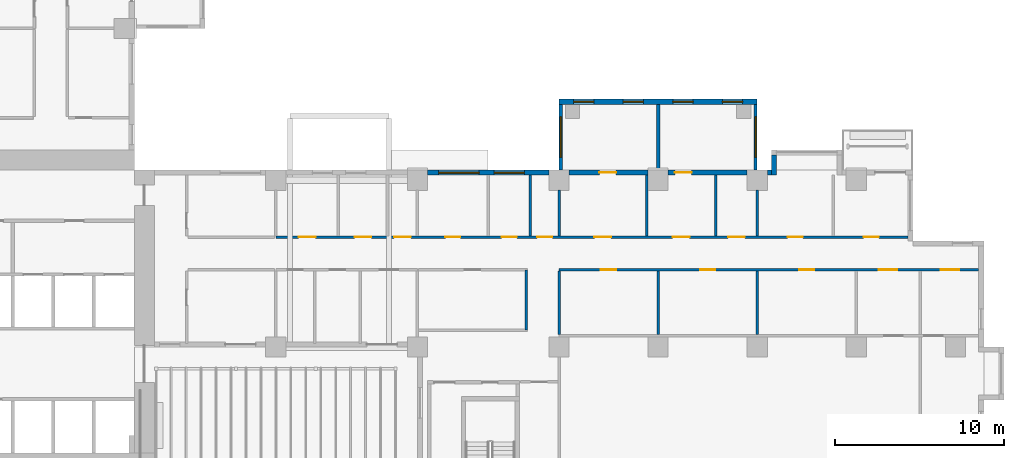
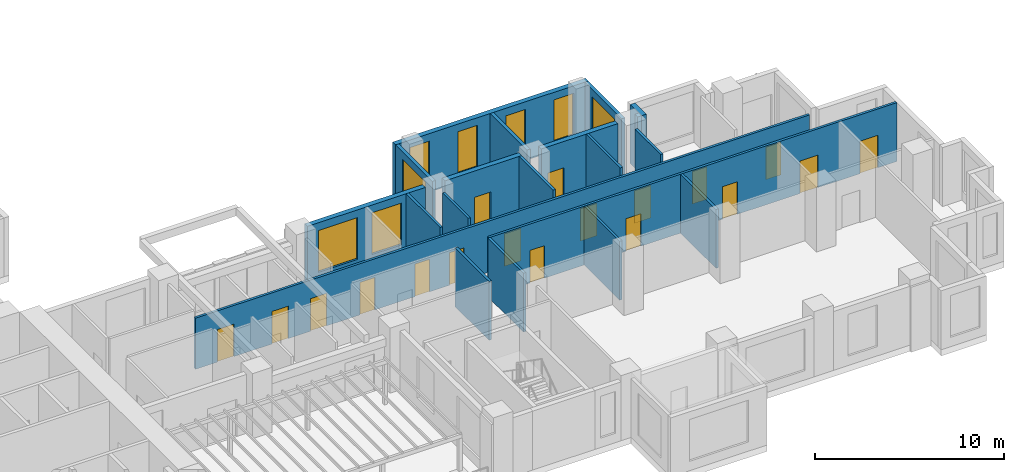
# One storey, part 7 of 17: 20 walls, 18 doors, 8 windows, 26 openings.
"""IFC4 building model written with IfcOpenShell, lengths in metres."""

from ifc_helpers import new_model, si_unit, direction, frame, frame_2d, origin, place, context, subcontext, project, spatial, rectangle, extrude, source, transform, mapped, material, layer, layer_set, type_object, element, fill, save


model = new_model("IFC4")

# Units and contexts
model_context = context("Model", 3, precision=1e-05, world=origin(), true_north=direction((0.0, 1.0)))
body_context = subcontext(model_context, "Body", "Model", "MODEL_VIEW")
ifc_project = project(units=[si_unit("LENGTHUNIT", "METRE"), si_unit("AREAUNIT", "SQUARE_METRE"), si_unit("VOLUMEUNIT", "CUBIC_METRE"), si_unit("PLANEANGLEUNIT", "RADIAN"), si_unit("MASSUNIT", "GRAM", prefix="KILO")], contexts=[model_context])

# Site, building, storey
site_placement = place(None, origin())
site = spatial("IfcSite", under=ifc_project, at=site_placement, CompositionType="ELEMENT")
building_placement = place(site_placement, origin())
building = spatial("IfcBuilding", under=site, at=building_placement, Name="Aurelian Terraces", CompositionType="ELEMENT")
storey_placement = place(building_placement, frame((0.0, 0.0, 48.9)))
storey = spatial("IfcBuildingStorey", under=building, at=storey_placement, Name="L09", CompositionType="ELEMENT", Elevation=48.9)

# Wall
ifc_material_1 = material(Name="Concrete fc' 40 MPa", Category="concrete")
ifc_layer_1 = layer(ifc_material_1, 0.2)
ifc_layer_set_1 = layer_set([ifc_layer_1], Name="BOX BEARING WALL 200")
wall_type_1 = type_object("IfcWallType", Name="BOX BEARING WALL 200", PredefinedType="SOLIDWALL", material=ifc_layer_set_1)
wall_1_placement = place(storey_placement, frame((52.08, 21.0, 0.0), z_axis=(0.0, 0.0, 1.0), x_axis=(0.0, 1.0, 0.0)))
element("IfcWall", 1, at=wall_1_placement, inside=storey, type_object=wall_type_1, Name="Box partition L09 K01", PredefinedType="SOLIDWALL", context=body_context, shape_type="SweptSolid", body=[
    extrude(rectangle(XDim=3.9, YDim=0.2, at=frame_2d((1.95, 0.0))), origin(), (0.0, 0.0, 1.0), 3.79),
])

# Wall, openings, windows
ifc_layer_2 = layer(ifc_material_1, 0.3)
ifc_layer_set_2 = layer_set([ifc_layer_2], Name="BOX BEARING WALL 300")
wall_type_2 = type_object("IfcWallType", Name="BOX BEARING WALL 300", PredefinedType="SOLIDWALL", material=ifc_layer_set_2)
wall_2_placement = place(storey_placement, frame((57.96, 25.05, 0.0), z_axis=(0.0, 0.0, 1.0), x_axis=(-1.0, 0.0, 0.0)))
wall_2 = element("IfcWall", 2, at=wall_2_placement, inside=storey, type_object=wall_type_2, Name="Box wall L09 K01", PredefinedType="SOLIDWALL", context=body_context, shape_type="SweptSolid", body=[
    extrude(rectangle(XDim=11.76, YDim=0.3, at=frame_2d((5.88, 0.0))), origin(), (0.0, 0.0, 1.0), 3.79),
])
shared_shape_1 = source(origin(), body_context, "Body", "SweptSolid", [
    extrude(rectangle(XDim=1.2, YDim=2.7, at=frame_2d((0.6, 1.35))), frame((0.0, 0.16, 0.0), z_axis=(0.0, -1.0, 0.0), x_axis=(1.0, 0.0, 0.0)), (0.0, 0.0, 1.0), 0.32),
])
opening_1_placement = place(wall_2_placement, frame((0.87, 0.0, 0.6)))
opening_1 = element("IfcOpeningElement", 3, at=opening_1_placement, cuts=wall_2, Name="Opening W1227", PredefinedType="OPENING", context=body_context, shape_type="MappedRepresentation", body=[
    mapped(shared_shape_1, transform((0.0, 0.0, 0.0), scale=1.0)),
])
opening_2_placement = place(wall_2_placement, frame((3.81, 0.0, 0.6)))
opening_2 = element("IfcOpeningElement", 4, at=opening_2_placement, cuts=wall_2, Name="Opening W1227", PredefinedType="OPENING", context=body_context, shape_type="MappedRepresentation", body=[
    mapped(shared_shape_1, transform((0.0, 0.0, 0.0), scale=1.0)),
])
opening_3_placement = place(wall_2_placement, frame((6.75, 0.0, 0.6)))
opening_3 = element("IfcOpeningElement", 5, at=opening_3_placement, cuts=wall_2, Name="Opening W1227", PredefinedType="OPENING", context=body_context, shape_type="MappedRepresentation", body=[
    mapped(shared_shape_1, transform((0.0, 0.0, 0.0), scale=1.0)),
])
opening_4_placement = place(wall_2_placement, frame((9.69, 0.0, 0.6)))
opening_4 = element("IfcOpeningElement", 6, at=opening_4_placement, cuts=wall_2, Name="Opening W1227", PredefinedType="OPENING", context=body_context, shape_type="MappedRepresentation", body=[
    mapped(shared_shape_1, transform((0.0, 0.0, 0.0), scale=1.0)),
])
ifc_material_2 = material(Name="Clear glazing", Category="glass")
window_type_1 = type_object("IfcWindowType", Name="W-1200x2700", PartitioningType="SINGLE_PANEL", PredefinedType="WINDOW", material=ifc_material_2)
shared_shape_2 = source(origin(), body_context, "Body", "SweptSolid", [
    extrude(rectangle(XDim=1.2, YDim=2.7, at=frame_2d((0.6, 1.35))), frame((0.0, 0.03, 0.0), z_axis=(0.0, -1.0, 0.0), x_axis=(1.0, 0.0, 0.0)), (0.0, 0.0, 1.0), 0.06),
])
window_1_placement = place(opening_1_placement, origin())
window_1 = element("IfcWindow", 7, at=window_1_placement, inside=storey, type_object=window_type_1, Name="Window L09 K01-F1", OverallHeight=2.7, OverallWidth=1.2, PartitioningType="SINGLE_PANEL", PredefinedType="WINDOW", context=body_context, shape_type="MappedRepresentation", body=[
    mapped(shared_shape_2, transform((0.0, 0.0, 0.0), scale=1.0)),
])
fill(opening_1, window_1)
window_2_placement = place(opening_2_placement, origin())
window_2 = element("IfcWindow", 8, at=window_2_placement, inside=storey, type_object=window_type_1, Name="Window L09 K01-F2", OverallHeight=2.7, OverallWidth=1.2, PartitioningType="SINGLE_PANEL", PredefinedType="WINDOW", context=body_context, shape_type="MappedRepresentation", body=[
    mapped(shared_shape_2, transform((0.0, 0.0, 0.0), scale=1.0)),
])
fill(opening_2, window_2)
window_3_placement = place(opening_3_placement, origin())
window_3 = element("IfcWindow", 9, at=window_3_placement, inside=storey, type_object=window_type_1, Name="Window L09 K01-F3", OverallHeight=2.7, OverallWidth=1.2, PartitioningType="SINGLE_PANEL", PredefinedType="WINDOW", context=body_context, shape_type="MappedRepresentation", body=[
    mapped(shared_shape_2, transform((0.0, 0.0, 0.0), scale=1.0)),
])
fill(opening_3, window_3)
window_4_placement = place(opening_4_placement, origin())
window_4 = element("IfcWindow", 10, at=window_4_placement, inside=storey, type_object=window_type_1, Name="Window L09 K01-F4", OverallHeight=2.7, OverallWidth=1.2, PartitioningType="SINGLE_PANEL", PredefinedType="WINDOW", context=body_context, shape_type="MappedRepresentation", body=[
    mapped(shared_shape_2, transform((0.0, 0.0, 0.0), scale=1.0)),
])
fill(opening_4, window_4)

ifc_material_3 = material(Name="Terracotta rainscreen cladding", Category="masonry")
ifc_layer_3 = layer(ifc_material_3, 0.3)
ifc_layer_set_3 = layer_set([ifc_layer_3], Name="EW-300")
wall_type_3 = type_object("IfcWallType", Name="EW-300", PredefinedType="STANDARD", material=ifc_layer_set_3)
shared_shape_3 = source(origin(), body_context, "Body", "SweptSolid", [
    extrude(rectangle(XDim=7.2, YDim=0.3, at=frame_2d((3.6, 0.0))), origin(), (0.0, 0.0, 1.0), 3.8),
])
wall_3_placement = place(storey_placement, frame((45.6, 20.85, 0.0), z_axis=(0.0, 0.0, 1.0), x_axis=(-1.0, 0.0, 0.0)))
wall_3 = element("IfcWall", 11, at=wall_3_placement, inside=storey, type_object=wall_type_3, Name="External wall L09 F11.25", PredefinedType="STANDARD", context=body_context, shape_type="MappedRepresentation", body=[
    mapped(shared_shape_3, transform((0.0, 0.0, 0.0), scale=1.0)),
])
shared_shape_4 = source(origin(), body_context, "Body", "SweptSolid", [
    extrude(rectangle(XDim=1.8, YDim=2.7, at=frame_2d((0.9, 1.35))), frame((0.0, 0.16, 0.0), z_axis=(0.0, -1.0, 0.0), x_axis=(1.0, 0.0, 0.0)), (0.0, 0.0, 1.0), 0.32),
])
opening_5_placement = place(wall_3_placement, frame((1.4495, 0.0, 0.6)))
opening_5 = element("IfcOpeningElement", 12, at=opening_5_placement, cuts=wall_3, Name="Opening W1827", PredefinedType="OPENING", context=body_context, shape_type="MappedRepresentation", body=[
    mapped(shared_shape_4, transform((0.0, 0.0, 0.0), scale=1.0)),
])
shared_shape_5 = source(origin(), body_context, "Body", "SweptSolid", [
    extrude(rectangle(XDim=2.4, YDim=2.7, at=frame_2d((1.2, 1.35))), frame((0.0, 0.16, 0.0), z_axis=(0.0, -1.0, 0.0), x_axis=(1.0, 0.0, 0.0)), (0.0, 0.0, 1.0), 0.32),
])
opening_6_placement = place(wall_3_placement, frame((4.1375, 0.0, 0.6)))
opening_6 = element("IfcOpeningElement", 13, at=opening_6_placement, cuts=wall_3, Name="Opening W2427", PredefinedType="OPENING", context=body_context, shape_type="MappedRepresentation", body=[
    mapped(shared_shape_5, transform((0.0, 0.0, 0.0), scale=1.0)),
])
window_type_2 = type_object("IfcWindowType", Name="W-2400x2700", PartitioningType="SINGLE_PANEL", PredefinedType="WINDOW", material=ifc_material_2)
shared_shape_6 = source(origin(), body_context, "Body", "SweptSolid", [
    extrude(rectangle(XDim=2.4, YDim=2.7, at=frame_2d((1.2, 1.35))), frame((0.0, 0.03, 0.0), z_axis=(0.0, -1.0, 0.0), x_axis=(1.0, 0.0, 0.0)), (0.0, 0.0, 1.0), 0.06),
])
window_5_placement = place(opening_6_placement, origin())
window_5 = element("IfcWindow", 14, at=window_5_placement, inside=storey, type_object=window_type_2, Name="Window L09 L09-F11-25-P0.2", OverallHeight=2.7, OverallWidth=2.4, PartitioningType="SINGLE_PANEL", PredefinedType="WINDOW", context=body_context, shape_type="MappedRepresentation", body=[
    mapped(shared_shape_6, transform((0.0, 0.0, 0.0), scale=1.0)),
])
fill(opening_6, window_5)
window_type_3 = type_object("IfcWindowType", Name="W-1800x2700", PartitioningType="SINGLE_PANEL", PredefinedType="WINDOW", material=ifc_material_2)
shared_shape_7 = source(origin(), body_context, "Body", "SweptSolid", [
    extrude(rectangle(XDim=1.8, YDim=2.7, at=frame_2d((0.9, 1.35))), frame((0.0, 0.03, 0.0), z_axis=(0.0, -1.0, 0.0), x_axis=(1.0, 0.0, 0.0)), (0.0, 0.0, 1.0), 0.06),
])
window_6_placement = place(opening_5_placement, origin())
window_6 = element("IfcWindow", 15, at=window_6_placement, inside=storey, type_object=window_type_3, Name="Window L09 L09-F11-25-P0.1", OverallHeight=2.7, OverallWidth=1.8, PartitioningType="SINGLE_PANEL", PredefinedType="WINDOW", context=body_context, shape_type="MappedRepresentation", body=[
    mapped(shared_shape_7, transform((0.0, 0.0, 0.0), scale=1.0)),
])
fill(opening_5, window_6)

# Wall, opening, door
shared_shape_8 = source(origin(), body_context, "Body", "SweptSolid", [
    extrude(rectangle(XDim=4.68, YDim=0.3, at=frame_2d((2.34, 0.0))), origin(), (0.0, 0.0, 1.0), 3.8),
])
wall_4_placement = place(storey_placement, frame((57.36, 20.85, 0.0), z_axis=(0.0, 0.0, 1.0), x_axis=(-1.0, 0.0, 0.0)))
wall_4 = element("IfcWall", 16, at=wall_4_placement, inside=storey, type_object=wall_type_3, Name="External wall L09 F11.24", PredefinedType="STANDARD", context=body_context, shape_type="MappedRepresentation", body=[
    mapped(shared_shape_8, transform((0.0, 0.0, 0.0), scale=1.0)),
])
shared_shape_9 = source(origin(), body_context, "Body", "SweptSolid", [
    extrude(rectangle(XDim=1.0, YDim=2.1, at=frame_2d((0.5, 1.05))), frame((0.0, 0.16, 0.0), z_axis=(0.0, -1.0, 0.0), x_axis=(1.0, 0.0, 0.0)), (0.0, 0.0, 1.0), 0.32),
])
opening_7_placement = place(wall_4_placement, frame((3.2867, 0.0, 0.0)))
opening_7 = element("IfcOpeningElement", 17, at=opening_7_placement, cuts=wall_4, Name="Opening 809006", PredefinedType="OPENING", context=body_context, shape_type="MappedRepresentation", body=[
    mapped(shared_shape_9, transform((0.0, 0.0, 0.0), scale=1.0)),
])
ifc_material_4 = material(Name="Timber door leaf", Category="wood")
door_type_1 = type_object("IfcDoorType", Name="Room door 1000x2100 left", OperationType="SINGLE_SWING_LEFT", PredefinedType="DOOR", material=ifc_material_4)
shared_shape_10 = source(origin(), body_context, "Body", "SweptSolid", [
    extrude(rectangle(XDim=1.0, YDim=2.1, at=frame_2d((0.5, 1.05))), frame((0.0, 0.025, 0.0), z_axis=(0.0, -1.0, 0.0), x_axis=(1.0, 0.0, 0.0)), (0.0, 0.0, 1.0), 0.05),
])
door_1_placement = place(opening_7_placement, origin())
door_1 = element("IfcDoor", 18, at=door_1_placement, inside=storey, type_object=door_type_1, Name="Door 809006", OperationType="SINGLE_SWING_LEFT", OverallHeight=2.1, OverallWidth=1.0, PredefinedType="DOOR", context=body_context, shape_type="MappedRepresentation", body=[
    mapped(shared_shape_10, transform((0.0, 0.0, 0.0), scale=1.0)),
])
fill(opening_7, door_1)

wall_5_placement = place(storey_placement, frame((51.48, 20.85, 0.0), z_axis=(0.0, 0.0, 1.0), x_axis=(-1.0, 0.0, 0.0)))
wall_5 = element("IfcWall", 19, at=wall_5_placement, inside=storey, type_object=wall_type_3, Name="External wall L09 F11.24", PredefinedType="STANDARD", context=body_context, shape_type="MappedRepresentation", body=[
    mapped(shared_shape_8, transform((0.0, 0.0, 0.0), scale=1.0)),
])
opening_8_placement = place(wall_5_placement, frame((1.8867, 0.0, 0.0)))
opening_8 = element("IfcOpeningElement", 20, at=opening_8_placement, cuts=wall_5, Name="Opening 809007", PredefinedType="OPENING", context=body_context, shape_type="MappedRepresentation", body=[
    mapped(shared_shape_9, transform((0.0, 0.0, 0.0), scale=1.0)),
])
door_2_placement = place(opening_8_placement, origin())
door_2 = element("IfcDoor", 21, at=door_2_placement, inside=storey, type_object=door_type_1, Name="Door 809007", OperationType="SINGLE_SWING_LEFT", OverallHeight=2.1, OverallWidth=1.0, PredefinedType="DOOR", context=body_context, shape_type="MappedRepresentation", body=[
    mapped(shared_shape_10, transform((0.0, 0.0, 0.0), scale=1.0)),
])
fill(opening_8, door_2)

# Walls
shared_shape_11 = source(origin(), body_context, "Body", "SweptSolid", [
    extrude(rectangle(XDim=1.2, YDim=0.3, at=frame_2d((0.6, 0.0))), origin(), (0.0, 0.0, 1.0), 3.8),
])
wall_6_placement = place(storey_placement, frame((58.95, 20.7, 0.0), z_axis=(0.0, 0.0, 1.0), x_axis=(0.0, 1.0, 0.0)))
element("IfcWall", 22, at=wall_6_placement, inside=storey, type_object=wall_type_3, Name="Bay return L09 F11.23.2", PredefinedType="STANDARD", context=body_context, shape_type="MappedRepresentation", body=[
    mapped(shared_shape_11, transform((0.0, 0.0, 0.0), scale=1.0)),
])
shared_shape_12 = source(origin(), body_context, "Body", "SweptSolid", [
    extrude(rectangle(XDim=0.24, YDim=0.3, at=frame_2d((0.12, 0.0))), origin(), (0.0, 0.0, 1.0), 3.8),
])
wall_7_placement = place(storey_placement, frame((58.8, 20.85, 0.0), z_axis=(0.0, 0.0, 1.0), x_axis=(-1.0, 0.0, 0.0)))
element("IfcWall", 23, at=wall_7_placement, inside=storey, type_object=wall_type_3, Name="External wall L09 F11.24", PredefinedType="STANDARD", context=body_context, shape_type="MappedRepresentation", body=[
    mapped(shared_shape_12, transform((0.0, 0.0, 0.0), scale=1.0)),
])

# Wall, opening, window
shared_shape_13 = source(origin(), body_context, "Body", "SweptSolid", [
    extrude(rectangle(XDim=3.9, YDim=0.2, at=frame_2d((1.95, 0.0))), origin(), (0.0, 0.0, 1.0), 3.79),
])
wall_8_placement = place(storey_placement, frame((57.86, 21.0, 0.0), z_axis=(0.0, 0.0, 1.0), x_axis=(0.0, 1.0, 0.0)))
wall_8 = element("IfcWall", 24, at=wall_8_placement, inside=storey, type_object=wall_type_1, Name="Box return L09 K01.1", PredefinedType="SOLIDWALL", context=body_context, shape_type="MappedRepresentation", body=[
    mapped(shared_shape_13, transform((0.0, 0.0, 0.0), scale=1.0)),
])
shared_shape_14 = source(origin(), body_context, "Body", "SweptSolid", [
    extrude(rectangle(XDim=2.4, YDim=2.7, at=frame_2d((1.2, 1.35))), frame((0.0, 0.11, 0.0), z_axis=(0.0, -1.0, 0.0), x_axis=(1.0, 0.0, 0.0)), (0.0, 0.0, 1.0), 0.22),
])
opening_9_placement = place(wall_8_placement, frame((0.75, 0.0, 0.6)))
opening_9 = element("IfcOpeningElement", 25, at=opening_9_placement, cuts=wall_8, Name="Opening W2427", PredefinedType="OPENING", context=body_context, shape_type="MappedRepresentation", body=[
    mapped(shared_shape_14, transform((0.0, 0.0, 0.0), scale=1.0)),
])
window_7_placement = place(opening_9_placement, origin())
window_7 = element("IfcWindow", 26, at=window_7_placement, inside=storey, type_object=window_type_2, Name="Window L09 K01-S1", OverallHeight=2.7, OverallWidth=2.4, PartitioningType="SINGLE_PANEL", PredefinedType="WINDOW", context=body_context, shape_type="MappedRepresentation", body=[
    mapped(shared_shape_6, transform((0.0, 0.0, 0.0), scale=1.0)),
])
fill(opening_9, window_7)

wall_9_placement = place(storey_placement, frame((46.3, 21.0, 0.0), z_axis=(0.0, 0.0, 1.0), x_axis=(0.0, 1.0, 0.0)))
wall_9 = element("IfcWall", 27, at=wall_9_placement, inside=storey, type_object=wall_type_1, Name="Box return L09 K01.2", PredefinedType="SOLIDWALL", context=body_context, shape_type="MappedRepresentation", body=[
    mapped(shared_shape_13, transform((0.0, 0.0, 0.0), scale=1.0)),
])
opening_10_placement = place(wall_9_placement, frame((0.75, 0.0, 0.6)))
opening_10 = element("IfcOpeningElement", 28, at=opening_10_placement, cuts=wall_9, Name="Opening W2427", PredefinedType="OPENING", context=body_context, shape_type="MappedRepresentation", body=[
    mapped(shared_shape_14, transform((0.0, 0.0, 0.0), scale=1.0)),
])
window_8_placement = place(opening_10_placement, origin())
window_8 = element("IfcWindow", 29, at=window_8_placement, inside=storey, type_object=window_type_2, Name="Window L09 K01-S2", OverallHeight=2.7, OverallWidth=2.4, PartitioningType="SINGLE_PANEL", PredefinedType="WINDOW", context=body_context, shape_type="MappedRepresentation", body=[
    mapped(shared_shape_6, transform((0.0, 0.0, 0.0), scale=1.0)),
])
fill(opening_10, window_8)

# Walls
ifc_material_5 = material(Name="Gypsum board on steel studs", Category="steel")
ifc_layer_4 = layer(ifc_material_5, 0.15)
ifc_layer_set_4 = layer_set([ifc_layer_4], Name="Partition 150")
wall_type_4 = type_object("IfcWallType", Name="Partition 150", PredefinedType="PARTITIONING", material=ifc_layer_set_4)
shared_shape_15 = source(origin(), body_context, "Body", "SweptSolid", [
    extrude(rectangle(XDim=3.75, YDim=0.15, at=frame_2d((1.875, 0.0))), origin(), (0.0, 0.0, 1.0), 3.8),
])
for number, where, z_axis, x_axis, name in (
    (30, (52.08, 11.25, 0.0), (0.0, 0.0, 1.0), (0.0, 1.0, 0.0), "Partition"),
    (31, (57.96, 11.25, 0.0), (0.0, 0.0, 1.0), (0.0, 1.0, 0.0), "Partition"),
    (32, (46.2, 11.25, 0.0), (0.0, 0.0, 1.0), (0.0, 1.0, 0.0), "Partition"),
):
    element("IfcWall", number, at=place(storey_placement, frame(where, z_axis=z_axis, x_axis=x_axis)), inside=storey, type_object=wall_type_4, Name=name, PredefinedType="PARTITIONING", context=body_context, shape_type="MappedRepresentation", body=[
        mapped(shared_shape_15, transform((0.0, 0.0, 0.0), scale=1.0)),
    ])
shared_shape_16 = source(origin(), body_context, "Body", "SweptSolid", [
    extrude(rectangle(XDim=3.6, YDim=0.15, at=frame_2d((1.8, 0.0))), origin(), (0.0, 0.0, 1.0), 3.8),
])
for number, where, z_axis, x_axis, name in (
    (33, (44.5011, 20.7, 0.0), (0.0, 0.0, 1.0), (0.0, -1.0, 0.0), "Partition"),
    (34, (51.3951, 20.7, 0.0), (0.0, 0.0, 1.0), (0.0, -1.0, 0.0), "Partition"),
    (35, (55.4912, 20.7, 0.0), (0.0, 0.0, 1.0), (0.0, -1.0, 0.0), "Partition"),
):
    element("IfcWall", number, at=place(storey_placement, frame(where, z_axis=z_axis, x_axis=x_axis)), inside=storey, type_object=wall_type_4, Name=name, PredefinedType="PARTITIONING", context=body_context, shape_type="MappedRepresentation", body=[
        mapped(shared_shape_16, transform((0.0, 0.0, 0.0), scale=1.0)),
    ])
shared_shape_17 = source(origin(), body_context, "Body", "SweptSolid", [
    extrude(rectangle(XDim=2.701, YDim=0.15, at=frame_2d((1.3505, 0.0))), origin(), (0.0, 0.0, 1.0), 3.8),
])
for number, where, z_axis, x_axis, name in (
    (36, (46.2, 17.1, 0.0), (0.0, 0.0, 1.0), (0.0, 1.0, 0.0), "Partition"),
    (37, (57.96, 17.1, 0.0), (0.0, 0.0, 1.0), (0.0, 1.0, 0.0), "Partition"),
):
    element("IfcWall", number, at=place(storey_placement, frame(where, z_axis=z_axis, x_axis=x_axis)), inside=storey, type_object=wall_type_4, Name=name, PredefinedType="PARTITIONING", context=body_context, shape_type="MappedRepresentation", body=[
        mapped(shared_shape_17, transform((0.0, 0.0, 0.0), scale=1.0)),
    ])

# Wall, openings, doors
ifc_layer_5 = layer(ifc_material_5, 0.15)
ifc_layer_set_5 = layer_set([ifc_layer_5], Name="Fire partition 150")
wall_type_5 = type_object("IfcWallType", Name="Fire partition 150", PredefinedType="PARTITIONING", material=ifc_layer_set_5)
shared_shape_18 = source(origin(), body_context, "Body", "SweptSolid", [
    extrude(rectangle(XDim=24.9, YDim=0.15, at=frame_2d((12.45, 0.0))), origin(), (0.0, 0.0, 1.0), 3.8),
])
wall_10_placement = place(storey_placement, frame((71.1, 15.075, 0.0), z_axis=(0.0, 0.0, 1.0), x_axis=(-1.0, 0.0, 0.0)))
wall_10 = element("IfcWall", 38, at=wall_10_placement, inside=storey, type_object=wall_type_5, Name="Corridor wall", PredefinedType="PARTITIONING", context=body_context, shape_type="MappedRepresentation", body=[
    mapped(shared_shape_18, transform((0.0, 0.0, 0.0), scale=1.0)),
])
shared_shape_19 = source(origin(), body_context, "Body", "SweptSolid", [
    extrude(rectangle(XDim=1.1, YDim=2.1, at=frame_2d((0.55, 1.05))), frame((0.0, 0.085, 0.0), z_axis=(0.0, -1.0, 0.0), x_axis=(1.0, 0.0, 0.0)), (0.0, 0.0, 1.0), 0.17),
])
opening_11_placement = place(wall_10_placement, frame((4.82, 0.0, 0.0)))
opening_11 = element("IfcOpeningElement", 39, at=opening_11_placement, cuts=wall_10, Name="Opening 709008", PredefinedType="OPENING", context=body_context, shape_type="MappedRepresentation", body=[
    mapped(shared_shape_19, transform((0.0, 0.0, 0.0), scale=1.0)),
])
shared_shape_20 = source(origin(), body_context, "Body", "SweptSolid", [
    extrude(rectangle(XDim=0.9, YDim=2.1, at=frame_2d((0.45, 1.05))), frame((0.0, 0.085, 0.0), z_axis=(0.0, -1.0, 0.0), x_axis=(1.0, 0.0, 0.0)), (0.0, 0.0, 1.0), 0.17),
])
opening_12_placement = place(wall_10_placement, frame((21.51, 0.0, 0.0)))
opening_12 = element("IfcOpeningElement", 40, at=opening_12_placement, cuts=wall_10, Name="Opening 709010", PredefinedType="OPENING", context=body_context, shape_type="MappedRepresentation", body=[
    mapped(shared_shape_20, transform((0.0, 0.0, 0.0), scale=1.0)),
])
opening_13_placement = place(wall_10_placement, frame((15.63, 0.0, 0.0)))
opening_13 = element("IfcOpeningElement", 41, at=opening_13_placement, cuts=wall_10, Name="Opening 709011", PredefinedType="OPENING", context=body_context, shape_type="MappedRepresentation", body=[
    mapped(shared_shape_20, transform((0.0, 0.0, 0.0), scale=1.0)),
])
opening_14_placement = place(wall_10_placement, frame((9.75, 0.0, 0.0)))
opening_14 = element("IfcOpeningElement", 42, at=opening_14_placement, cuts=wall_10, Name="Opening 709012", PredefinedType="OPENING", context=body_context, shape_type="MappedRepresentation", body=[
    mapped(shared_shape_20, transform((0.0, 0.0, 0.0), scale=1.0)),
])
opening_15_placement = place(wall_10_placement, frame((1.1525, 0.0, 0.0)))
opening_15 = element("IfcOpeningElement", 43, at=opening_15_placement, cuts=wall_10, Name="Opening 709013", PredefinedType="OPENING", context=body_context, shape_type="MappedRepresentation", body=[
    mapped(shared_shape_19, transform((0.0, 0.0, 0.0), scale=1.0)),
])
door_type_2 = type_object("IfcDoorType", Name="Room door 900x2100 right", OperationType="SINGLE_SWING_RIGHT", PredefinedType="DOOR", material=ifc_material_4)
shared_shape_21 = source(origin(), body_context, "Body", "SweptSolid", [
    extrude(rectangle(XDim=0.9, YDim=2.1, at=frame_2d((0.45, 1.05))), frame((0.0, 0.025, 0.0), z_axis=(0.0, -1.0, 0.0), x_axis=(1.0, 0.0, 0.0)), (0.0, 0.0, 1.0), 0.05),
])
door_3_placement = place(opening_12_placement, origin())
door_3 = element("IfcDoor", 44, at=door_3_placement, inside=storey, type_object=door_type_2, Name="Door 709010", OperationType="SINGLE_SWING_RIGHT", OverallHeight=2.1, OverallWidth=0.9, PredefinedType="DOOR", context=body_context, shape_type="MappedRepresentation", body=[
    mapped(shared_shape_21, transform((0.0, 0.0, 0.0), scale=1.0)),
])
fill(opening_12, door_3)
door_type_3 = type_object("IfcDoorType", Name="Room door 900x2100 left", OperationType="SINGLE_SWING_LEFT", PredefinedType="DOOR", material=ifc_material_4)
door_4_placement = place(opening_13_placement, origin())
door_4 = element("IfcDoor", 45, at=door_4_placement, inside=storey, type_object=door_type_3, Name="Door 709011", OperationType="SINGLE_SWING_LEFT", OverallHeight=2.1, OverallWidth=0.9, PredefinedType="DOOR", context=body_context, shape_type="MappedRepresentation", body=[
    mapped(shared_shape_21, transform((0.0, 0.0, 0.0), scale=1.0)),
])
fill(opening_13, door_4)
door_5_placement = place(opening_14_placement, origin())
door_5 = element("IfcDoor", 46, at=door_5_placement, inside=storey, type_object=door_type_2, Name="Door 709012", OperationType="SINGLE_SWING_RIGHT", OverallHeight=2.1, OverallWidth=0.9, PredefinedType="DOOR", context=body_context, shape_type="MappedRepresentation", body=[
    mapped(shared_shape_21, transform((0.0, 0.0, 0.0), scale=1.0)),
])
fill(opening_14, door_5)
door_type_4 = type_object("IfcDoorType", Name="Room door 1100x2100 right", OperationType="SINGLE_SWING_RIGHT", PredefinedType="DOOR", material=ifc_material_4)
shared_shape_22 = source(origin(), body_context, "Body", "SweptSolid", [
    extrude(rectangle(XDim=1.1, YDim=2.1, at=frame_2d((0.55, 1.05))), frame((0.0, 0.025, 0.0), z_axis=(0.0, -1.0, 0.0), x_axis=(1.0, 0.0, 0.0)), (0.0, 0.0, 1.0), 0.05),
])
door_6_placement = place(opening_11_placement, origin())
door_6 = element("IfcDoor", 47, at=door_6_placement, inside=storey, type_object=door_type_4, Name="Door 709008", OperationType="SINGLE_SWING_RIGHT", OverallHeight=2.1, OverallWidth=1.1, PredefinedType="DOOR", context=body_context, shape_type="MappedRepresentation", body=[
    mapped(shared_shape_22, transform((0.0, 0.0, 0.0), scale=1.0)),
])
fill(opening_11, door_6)
door_7_placement = place(opening_15_placement, origin())
door_7 = element("IfcDoor", 48, at=door_7_placement, inside=storey, type_object=door_type_4, Name="Door 709013", OperationType="SINGLE_SWING_RIGHT", OverallHeight=2.1, OverallWidth=1.1, PredefinedType="DOOR", context=body_context, shape_type="MappedRepresentation", body=[
    mapped(shared_shape_22, transform((0.0, 0.0, 0.0), scale=1.0)),
])
fill(opening_15, door_7)

# Wall
shared_shape_23 = source(origin(), body_context, "Body", "SweptSolid", [
    extrude(rectangle(XDim=3.575, YDim=0.15, at=frame_2d((1.7875, 0.0))), origin(), (0.0, 0.0, 1.0), 3.8),
])
wall_11_placement = place(storey_placement, frame((44.25, 11.5, 0.0), z_axis=(0.0, 0.0, 1.0), x_axis=(0.0, 1.0, 0.0)))
element("IfcWall", 49, at=wall_11_placement, inside=storey, type_object=wall_type_4, Name="Partition", PredefinedType="PARTITIONING", context=body_context, shape_type="MappedRepresentation", body=[
    mapped(shared_shape_23, transform((0.0, 0.0, 0.0), scale=1.0)),
])

# Wall, openings, doors
shared_shape_24 = source(origin(), body_context, "Body", "SweptSolid", [
    extrude(rectangle(XDim=37.5, YDim=0.15, at=frame_2d((18.75, 0.0))), origin(), (0.0, 0.0, 1.0), 3.3),
])
wall_12_placement = place(storey_placement, frame((29.4, 17.025, 0.0), z_axis=(0.0, 0.0, 1.0), x_axis=(1.0, 0.0, 0.0)))
wall_12 = element("IfcWall", 50, at=wall_12_placement, inside=storey, type_object=wall_type_5, Name="Corridor wall", PredefinedType="PARTITIONING", context=body_context, shape_type="MappedRepresentation", body=[
    mapped(shared_shape_24, transform((0.0, 0.0, 0.0), scale=1.0)),
])
shared_shape_25 = source(origin(), body_context, "Body", "SweptSolid", [
    extrude(rectangle(XDim=1.0, YDim=2.1, at=frame_2d((0.5, 1.05))), frame((0.0, 0.085, 0.0), z_axis=(0.0, -1.0, 0.0), x_axis=(1.0, 0.0, 0.0)), (0.0, 0.0, 1.0), 0.17),
])
opening_16_placement = place(wall_12_placement, frame((1.3567, 0.0, 0.0)))
opening_16 = element("IfcOpeningElement", 51, at=opening_16_placement, cuts=wall_12, Name="Opening 709015", PredefinedType="OPENING", context=body_context, shape_type="MappedRepresentation", body=[
    mapped(shared_shape_25, transform((0.0, 0.0, 0.0), scale=1.0)),
])
opening_17_placement = place(wall_12_placement, frame((4.6686, 0.0, 0.0)))
opening_17 = element("IfcOpeningElement", 52, at=opening_17_placement, cuts=wall_12, Name="Opening 709016", PredefinedType="OPENING", context=body_context, shape_type="MappedRepresentation", body=[
    mapped(shared_shape_25, transform((0.0, 0.0, 0.0), scale=1.0)),
])
opening_18_placement = place(wall_12_placement, frame((7.012, 0.0, 0.0)))
opening_18 = element("IfcOpeningElement", 53, at=opening_18_placement, cuts=wall_12, Name="Opening 709017", PredefinedType="OPENING", context=body_context, shape_type="MappedRepresentation", body=[
    mapped(shared_shape_25, transform((0.0, 0.0, 0.0), scale=1.0)),
])
opening_19_placement = place(wall_12_placement, frame((10.05, 0.0, 0.0)))
opening_19 = element("IfcOpeningElement", 54, at=opening_19_placement, cuts=wall_12, Name="Opening 709018", PredefinedType="OPENING", context=body_context, shape_type="MappedRepresentation", body=[
    mapped(shared_shape_20, transform((0.0, 0.0, 0.0), scale=1.0)),
])
opening_20_placement = place(wall_12_placement, frame((13.4006, 0.0, 0.0)))
opening_20 = element("IfcOpeningElement", 55, at=opening_20_placement, cuts=wall_12, Name="Opening 709019", PredefinedType="OPENING", context=body_context, shape_type="MappedRepresentation", body=[
    mapped(shared_shape_20, transform((0.0, 0.0, 0.0), scale=1.0)),
])
opening_21_placement = place(wall_12_placement, frame((15.5006, 0.0, 0.0)))
opening_21 = element("IfcOpeningElement", 56, at=opening_21_placement, cuts=wall_12, Name="Opening 709020", PredefinedType="OPENING", context=body_context, shape_type="MappedRepresentation", body=[
    mapped(shared_shape_20, transform((0.0, 0.0, 0.0), scale=1.0)),
])
opening_22_placement = place(wall_12_placement, frame((18.8976, 0.0, 0.0)))
opening_22 = element("IfcOpeningElement", 57, at=opening_22_placement, cuts=wall_12, Name="Opening 709021", PredefinedType="OPENING", context=body_context, shape_type="MappedRepresentation", body=[
    mapped(shared_shape_25, transform((0.0, 0.0, 0.0), scale=1.0)),
])
opening_23_placement = place(wall_12_placement, frame((23.5431, 0.0, 0.0)))
opening_23 = element("IfcOpeningElement", 58, at=opening_23_placement, cuts=wall_12, Name="Opening 709022", PredefinedType="OPENING", context=body_context, shape_type="MappedRepresentation", body=[
    mapped(shared_shape_25, transform((0.0, 0.0, 0.0), scale=1.0)),
])
opening_24_placement = place(wall_12_placement, frame((26.8256, 0.0, 0.0)))
opening_24 = element("IfcOpeningElement", 59, at=opening_24_placement, cuts=wall_12, Name="Opening 709023", PredefinedType="OPENING", context=body_context, shape_type="MappedRepresentation", body=[
    mapped(shared_shape_25, transform((0.0, 0.0, 0.0), scale=1.0)),
])
opening_25_placement = place(wall_12_placement, frame((30.3638, 0.0, 0.0)))
opening_25 = element("IfcOpeningElement", 60, at=opening_25_placement, cuts=wall_12, Name="Opening 709024", PredefinedType="OPENING", context=body_context, shape_type="MappedRepresentation", body=[
    mapped(shared_shape_20, transform((0.0, 0.0, 0.0), scale=1.0)),
])
opening_26_placement = place(wall_12_placement, frame((34.8713, 0.0, 0.0)))
opening_26 = element("IfcOpeningElement", 61, at=opening_26_placement, cuts=wall_12, Name="Opening 709025", PredefinedType="OPENING", context=body_context, shape_type="MappedRepresentation", body=[
    mapped(shared_shape_20, transform((0.0, 0.0, 0.0), scale=1.0)),
])
door_type_5 = type_object("IfcDoorType", Name="Room door 1000x2100 right", OperationType="SINGLE_SWING_RIGHT", PredefinedType="DOOR", material=ifc_material_4)
door_8_placement = place(opening_16_placement, origin())
door_8 = element("IfcDoor", 62, at=door_8_placement, inside=storey, type_object=door_type_5, Name="Door 709015", OperationType="SINGLE_SWING_RIGHT", OverallHeight=2.1, OverallWidth=1.0, PredefinedType="DOOR", context=body_context, shape_type="MappedRepresentation", body=[
    mapped(shared_shape_10, transform((0.0, 0.0, 0.0), scale=1.0)),
])
fill(opening_16, door_8)
door_9_placement = place(opening_17_placement, origin())
door_9 = element("IfcDoor", 63, at=door_9_placement, inside=storey, type_object=door_type_1, Name="Door 709016", OperationType="SINGLE_SWING_LEFT", OverallHeight=2.1, OverallWidth=1.0, PredefinedType="DOOR", context=body_context, shape_type="MappedRepresentation", body=[
    mapped(shared_shape_10, transform((0.0, 0.0, 0.0), scale=1.0)),
])
fill(opening_17, door_9)
door_10_placement = place(opening_18_placement, origin())
door_10 = element("IfcDoor", 64, at=door_10_placement, inside=storey, type_object=door_type_5, Name="Door 709017", OperationType="SINGLE_SWING_RIGHT", OverallHeight=2.1, OverallWidth=1.0, PredefinedType="DOOR", context=body_context, shape_type="MappedRepresentation", body=[
    mapped(shared_shape_10, transform((0.0, 0.0, 0.0), scale=1.0)),
])
fill(opening_18, door_10)
door_11_placement = place(opening_22_placement, origin())
door_11 = element("IfcDoor", 65, at=door_11_placement, inside=storey, type_object=door_type_5, Name="Door 709021", OperationType="SINGLE_SWING_RIGHT", OverallHeight=2.1, OverallWidth=1.0, PredefinedType="DOOR", context=body_context, shape_type="MappedRepresentation", body=[
    mapped(shared_shape_10, transform((0.0, 0.0, 0.0), scale=1.0)),
])
fill(opening_22, door_11)
door_12_placement = place(opening_23_placement, origin())
door_12 = element("IfcDoor", 66, at=door_12_placement, inside=storey, type_object=door_type_1, Name="Door 709022", OperationType="SINGLE_SWING_LEFT", OverallHeight=2.1, OverallWidth=1.0, PredefinedType="DOOR", context=body_context, shape_type="MappedRepresentation", body=[
    mapped(shared_shape_10, transform((0.0, 0.0, 0.0), scale=1.0)),
])
fill(opening_23, door_12)
door_13_placement = place(opening_24_placement, origin())
door_13 = element("IfcDoor", 67, at=door_13_placement, inside=storey, type_object=door_type_5, Name="Door 709023", OperationType="SINGLE_SWING_RIGHT", OverallHeight=2.1, OverallWidth=1.0, PredefinedType="DOOR", context=body_context, shape_type="MappedRepresentation", body=[
    mapped(shared_shape_10, transform((0.0, 0.0, 0.0), scale=1.0)),
])
fill(opening_24, door_13)
door_14_placement = place(opening_19_placement, origin())
door_14 = element("IfcDoor", 68, at=door_14_placement, inside=storey, type_object=door_type_2, Name="Door 709018", OperationType="SINGLE_SWING_RIGHT", OverallHeight=2.1, OverallWidth=0.9, PredefinedType="DOOR", context=body_context, shape_type="MappedRepresentation", body=[
    mapped(shared_shape_21, transform((0.0, 0.0, 0.0), scale=1.0)),
])
fill(opening_19, door_14)
door_15_placement = place(opening_20_placement, origin())
door_15 = element("IfcDoor", 69, at=door_15_placement, inside=storey, type_object=door_type_2, Name="Door 709019", OperationType="SINGLE_SWING_RIGHT", OverallHeight=2.1, OverallWidth=0.9, PredefinedType="DOOR", context=body_context, shape_type="MappedRepresentation", body=[
    mapped(shared_shape_21, transform((0.0, 0.0, 0.0), scale=1.0)),
])
fill(opening_20, door_15)
door_16_placement = place(opening_21_placement, origin())
door_16 = element("IfcDoor", 70, at=door_16_placement, inside=storey, type_object=door_type_3, Name="Door 709020", OperationType="SINGLE_SWING_LEFT", OverallHeight=2.1, OverallWidth=0.9, PredefinedType="DOOR", context=body_context, shape_type="MappedRepresentation", body=[
    mapped(shared_shape_21, transform((0.0, 0.0, 0.0), scale=1.0)),
])
fill(opening_21, door_16)
door_17_placement = place(opening_25_placement, origin())
door_17 = element("IfcDoor", 71, at=door_17_placement, inside=storey, type_object=door_type_2, Name="Door 709024", OperationType="SINGLE_SWING_RIGHT", OverallHeight=2.1, OverallWidth=0.9, PredefinedType="DOOR", context=body_context, shape_type="MappedRepresentation", body=[
    mapped(shared_shape_21, transform((0.0, 0.0, 0.0), scale=1.0)),
])
fill(opening_25, door_17)
door_18_placement = place(opening_26_placement, origin())
door_18 = element("IfcDoor", 72, at=door_18_placement, inside=storey, type_object=door_type_3, Name="Door 709025", OperationType="SINGLE_SWING_LEFT", OverallHeight=2.1, OverallWidth=0.9, PredefinedType="DOOR", context=body_context, shape_type="MappedRepresentation", body=[
    mapped(shared_shape_21, transform((0.0, 0.0, 0.0), scale=1.0)),
])
fill(opening_26, door_18)

save(model, "model.ifc")
